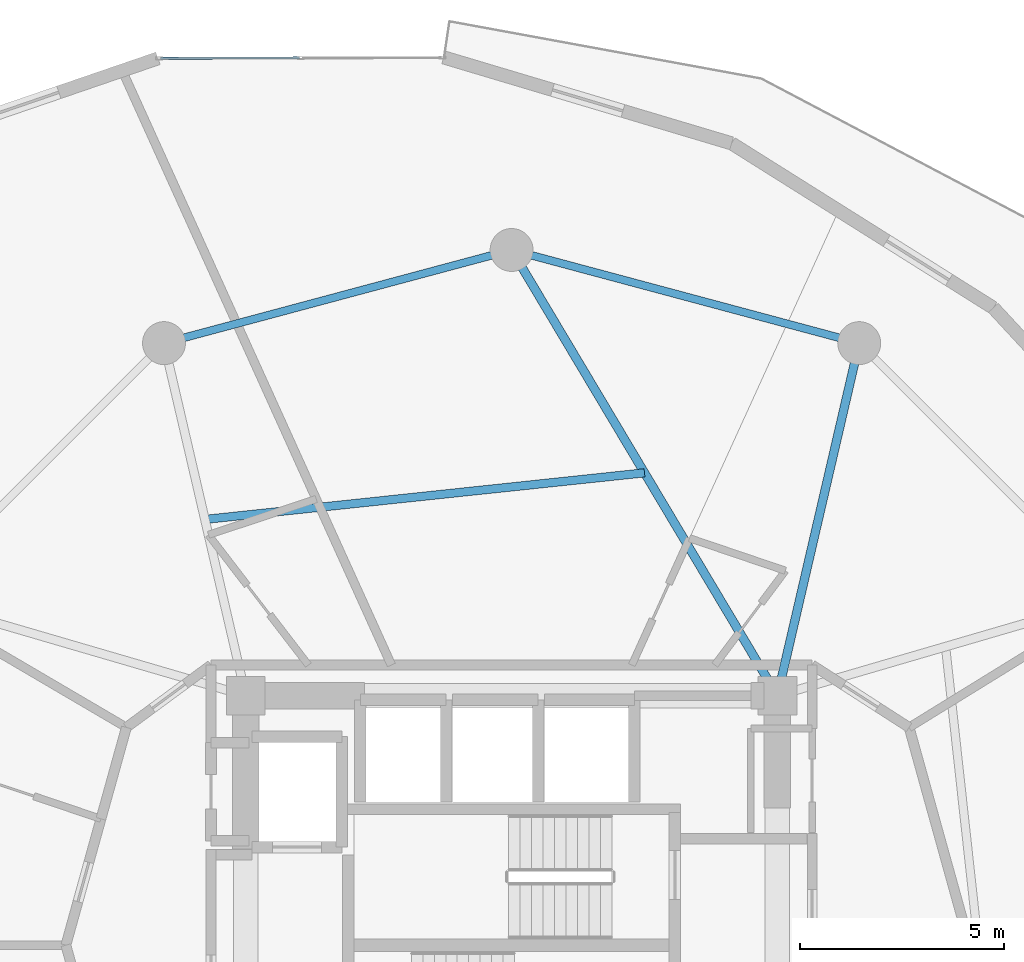
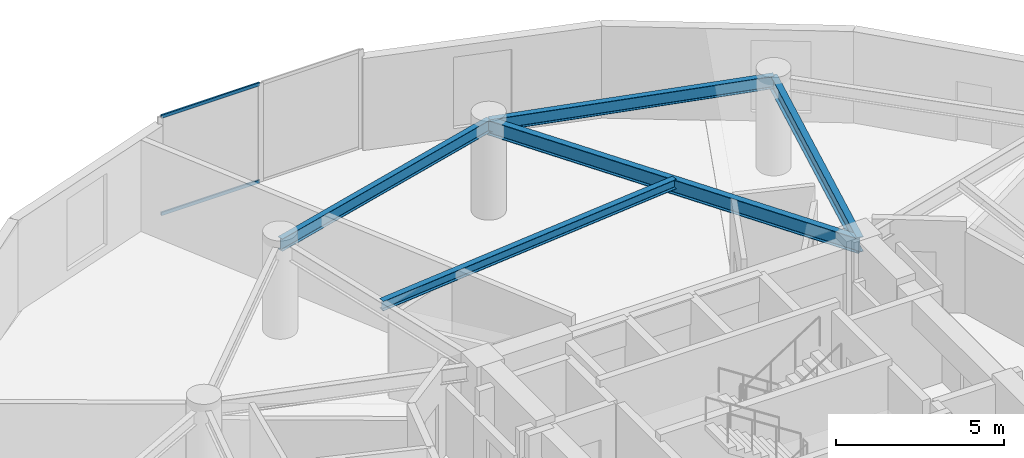
# One storey, part 13 of 21: 5 beams, 2 members, 1 element without a shape of its own.
"""IFC4 building model written with IfcOpenShell, lengths in metres."""

from ifc_helpers import new_model, si_unit, direction, frame, origin, origin_2d, place, context, subcontext, project, spatial, hollow_rectangle, i_section, extrude, source, transform, mapped, material, layer, layer_set, material_profile, profile_set, type_object, element, aggregate, save


model = new_model("IFC4")

# Units and contexts
model_context = context("Model", 3, precision=1e-05, world=origin(), true_north=direction((0.0, 1.0)))
body_context = subcontext(model_context, "Body", "Model", "MODEL_VIEW")
ifc_project = project(units=[si_unit("LENGTHUNIT", "METRE"), si_unit("AREAUNIT", "SQUARE_METRE"), si_unit("VOLUMEUNIT", "CUBIC_METRE"), si_unit("PLANEANGLEUNIT", "RADIAN"), si_unit("MASSUNIT", "GRAM", prefix="KILO")], contexts=[model_context])

# Site, building, storey
site_placement = place(None, origin())
site = spatial("IfcSite", under=ifc_project, at=site_placement, CompositionType="ELEMENT")
building_placement = place(site_placement, origin())
building = spatial("IfcBuilding", under=site, at=building_placement, Name="Solvirekh Grand Hotel", CompositionType="ELEMENT")
storey_placement = place(building_placement, frame((0.0, 0.0, 131.39990234375)))
storey = spatial("IfcBuildingStorey", under=building, at=storey_placement, Name="L33", CompositionType="ELEMENT", Elevation=131.39990234375)

# Beams
ifc_material_1 = material(Name="Steel S355", Category="steel")
ifc_material_profile_1 = material_profile(ifc_material_1, i_section(OverallWidth=0.2119140625, OverallDepth=0.5439453125, WebThickness=0.011962890625, FlangeThickness=0.01904296875, FilletRadius=0.013916015625, at=origin_2d()), Name="W530X123")
ifc_profile_set_1 = profile_set([ifc_material_profile_1], Name="Steel S355")
beam_type_1 = type_object("IfcBeamType", Name="Beam_Radial_W530H", PredefinedType="BEAM", material=ifc_profile_set_1)
beam_1_placement = place(storey_placement, frame((6.5, 6.10009765625, 3.078125), z_axis=(0.225969390542, 0.974134402707, 0.0), x_axis=(-0.974134402707, 0.225969390542, 0.0)))
element("IfcBeam", 1, at=beam_1_placement, inside=storey, type_object=beam_type_1, Name="L33 radial floor beam R03", PredefinedType="BEAM", context=body_context, shape_type="SweptSolid", body=[
    extrude(i_section(OverallWidth=0.2119140625, OverallDepth=0.5439453125, WebThickness=0.011962890625, FlangeThickness=0.01904296875, FilletRadius=0.013916015625, at=origin_2d()), origin(), (0.0, 0.0, 1.0), 8.850830078125),
])
beam_2_placement = place(storey_placement, frame((6.5, 6.10009765625, 3.078125), z_axis=(-0.512179721377, 0.858878299301, 0.0), x_axis=(-0.858878299301, -0.512179721377, 0.0)))
element("IfcBeam", 2, at=beam_2_placement, inside=storey, type_object=beam_type_1, Name="L33 radial floor beam R04", PredefinedType="BEAM", context=body_context, shape_type="SweptSolid", body=[
    extrude(i_section(OverallWidth=0.2119140625, OverallDepth=0.5439453125, WebThickness=0.011962890625, FlangeThickness=0.01904296875, FilletRadius=0.013916015625, at=origin_2d()), origin(), (0.0, 0.0, 1.0), 12.69091796875),
])
ifc_material_profile_2 = material_profile(ifc_material_1, i_section(OverallWidth=0.2041015625, OverallDepth=0.35009765625, WebThickness=0.009033203125, FlangeThickness=0.014892578125, FilletRadius=0.010986328125, at=origin_2d()), Name="W360X72")
ifc_profile_set_2 = profile_set([ifc_material_profile_2], Name="Steel S355")
beam_type_2 = type_object("IfcBeamType", Name="Joist_Floor_W360", PredefinedType="JOIST", material=ifc_profile_set_2)
beam_3_placement = place(storey_placement, frame((3.25, 11.550048828125, 3.175048828125), z_axis=(-0.994432198761, -0.105378375714, 0.0), x_axis=(0.105378375714, -0.994432198761, 0.0)))
element("IfcBeam", 3, at=beam_3_placement, inside=storey, type_object=beam_type_2, Name="L33 secondary composite floor joist 4", PredefinedType="JOIST", context=body_context, shape_type="SweptSolid", body=[
    extrude(i_section(OverallWidth=0.2041015625, OverallDepth=0.35009765625, WebThickness=0.009033203125, FlangeThickness=0.014892578125, FilletRadius=0.010986328125, at=origin_2d()), origin(), (0.0, 0.0, 1.0), 10.810302734375),
])
ifc_material_profile_3 = material_profile(ifc_material_1, i_section(OverallWidth=0.18994140625, OverallDepth=0.45703125, WebThickness=0.009033203125, FlangeThickness=0.013916015625, FilletRadius=0.012939453125, at=origin_2d()), Name="W460X74")
ifc_profile_set_3 = profile_set([ifc_material_profile_3], Name="Steel S355")
beam_type_3 = type_object("IfcBeamType", Name="Spandrel_Ring_W460", PredefinedType="SPANDREL", material=ifc_profile_set_3)
for number, where, z_axis, x_axis, name in (
    (4, (8.5, 14.721923828125, 3.1220703125), (-0.965911391906, 0.258872908946, 0.0), (-0.258872908946, -0.965911391906, 0.0), "L33 perimeter spandrel beam 3"),
    (5, (0.0, 17.0, 3.1220703125), (-0.965911391906, -0.258872908946, 0.0), (0.258872908946, -0.965911391906, 0.0), "L33 perimeter spandrel beam 4"),
):
    element("IfcBeam", number, at=place(storey_placement, frame(where, z_axis=z_axis, x_axis=x_axis)), inside=storey, type_object=beam_type_3, Name=name, PredefinedType="SPANDREL", context=body_context, shape_type="SweptSolid", body=[
        extrude(i_section(OverallWidth=0.18994140625, OverallDepth=0.45703125, WebThickness=0.009033203125, FlangeThickness=0.013916015625, FilletRadius=0.012939453125, at=origin_2d()), origin(), (0.0, 0.0, 1.0), 8.800048828125),
    ])

# Curtain wall, members
ifc_material_2 = material(Name="Anodized Bronze Aluminium 6063-T6", Category="aluminium")
ifc_layer = layer(ifc_material_2, 0.175048828125)
ifc_layer_set = layer_set([ifc_layer], Name="Anodized Bronze Aluminium 6063-T6")
curtain_wall_type = type_object("IfcCurtainWallType", Name="CW_Sys3_MidZoneFlushBronzeCW", PredefinedType="NOTDEFINED", material=ifc_layer_set)
curtain_wall_placement = place(storey_placement, origin())
curtain_wall = element("IfcCurtainWall", 6, at=curtain_wall_placement, inside=storey, type_object=curtain_wall_type, Name="L33 unitised bronze-glass curtain wall CW-L33-C08", PredefinedType="NOTDEFINED")
ifc_material_profile_4 = material_profile(ifc_material_2, hollow_rectangle(XDim=0.054931640625, YDim=0.1201171875, WallThickness=0.00390625, at=origin_2d()), Name="ALU RHS 120X55X4")
ifc_profile_set_4 = profile_set([ifc_material_profile_4], Name="Anodized Bronze Aluminium 6063-T6")
member_type = type_object("IfcMemberType", Name="CWTransom_Sys3", PredefinedType="USERDEFINED", material=ifc_profile_set_4)
shared_shape = source(origin(), body_context, "Body", "SweptSolid", [
    extrude(hollow_rectangle(XDim=0.054931640625, YDim=0.1201171875, WallThickness=0.00390625, at=origin_2d()), origin(), (0.0, 0.0, 1.0), 3.39697265625),
])
member_1_placement = place(storey_placement, frame((-5.18701171875, 21.697998046875, 0.027587890625), z_axis=(-0.999995000022, -0.003162266782, 0.0), x_axis=(0.003162266782, -0.999995000022, 0.0)))
member_1 = element("IfcMember", 7, at=member_1_placement, type_object=member_type, Name="U03 transom 2.1", ObjectType="TRANSOM", PredefinedType="USERDEFINED", context=body_context, shape_type="MappedRepresentation", body=[
    mapped(shared_shape, transform((0.0, 0.0, 0.0), x_axis=(1.0, 0.0, 0.0), y_axis=(0.0, 1.0, 0.0), z_axis=(0.0, 0.0, 1.0), scale=1.0)),
])
member_2_placement = place(storey_placement, frame((-5.18701171875, 21.697998046875, 3.572509765625), z_axis=(-0.999995000022, -0.003162266782, 0.0), x_axis=(0.003162266782, -0.999995000022, 0.0)))
member_2 = element("IfcMember", 8, at=member_2_placement, type_object=member_type, Name="U03 transom 2.2", ObjectType="TRANSOM", PredefinedType="USERDEFINED", context=body_context, shape_type="MappedRepresentation", body=[
    mapped(shared_shape, transform((0.0, 0.0, 0.0), x_axis=(1.0, 0.0, 0.0), y_axis=(0.0, 1.0, 0.0), z_axis=(0.0, 0.0, 1.0), scale=1.0)),
])
aggregate(curtain_wall, [member_1, member_2])

save(model, "model.ifc")
